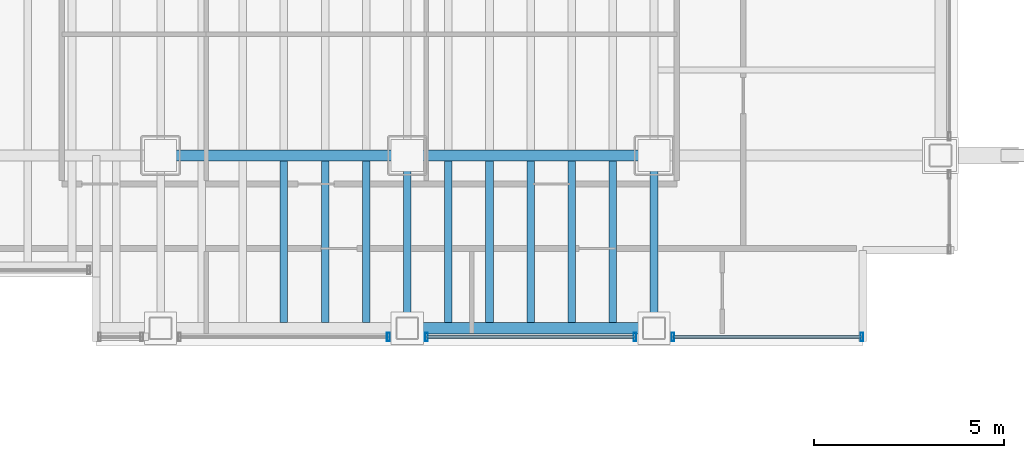
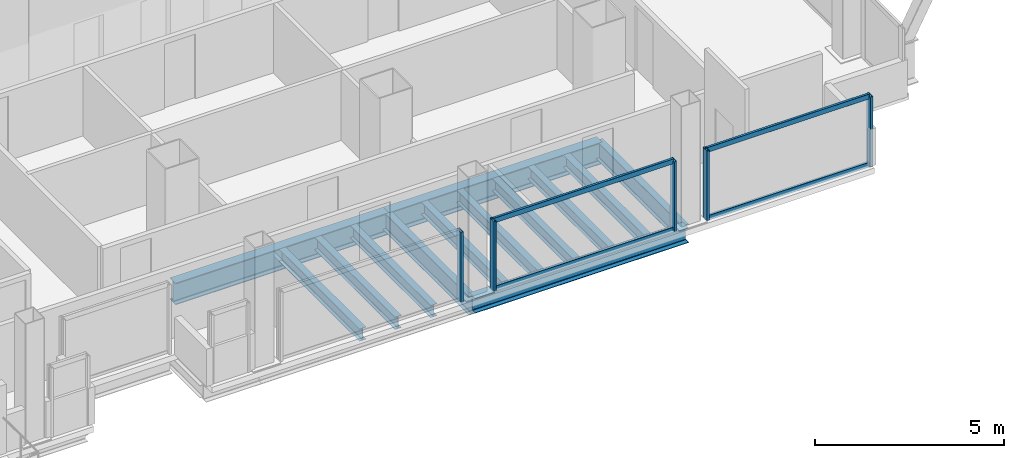
# One storey, part 9 of 21: 13 beams, 9 members, 3 elements without a shape of their own.
"""IFC4 building model written with IfcOpenShell, lengths in metres."""

from ifc_helpers import new_model, si_unit, direction, frame, origin, origin_2d, place, context, subcontext, project, spatial, hollow_rectangle, i_section, extrude, material, material_profile, profile_set, type_object, element, aggregate, save


model = new_model("IFC4")

# Units and contexts
model_context = context("Model", 3, precision=1e-05, world=origin(), true_north=direction((0.0, 1.0)))
body_context = subcontext(model_context, "Body", "Model", "MODEL_VIEW")
ifc_project = project(units=[si_unit("LENGTHUNIT", "METRE"), si_unit("AREAUNIT", "SQUARE_METRE"), si_unit("VOLUMEUNIT", "CUBIC_METRE"), si_unit("PLANEANGLEUNIT", "RADIAN"), si_unit("MASSUNIT", "GRAM", prefix="KILO")], contexts=[model_context])

# Site, building, storey
site_placement = place(None, origin())
site = spatial("IfcSite", under=ifc_project, at=site_placement, CompositionType="ELEMENT")
building_placement = place(site_placement, origin())
building = spatial("IfcBuilding", under=site, at=building_placement, Name="Noeulbin Bourse Tower", CompositionType="ELEMENT")
storey_placement = place(building_placement, frame((0.0, 0.0, 49.89990234375)))
storey = spatial("IfcBuildingStorey", under=building, at=storey_placement, Name="L12", CompositionType="ELEMENT", Elevation=49.89990234375)

# Beams
ifc_material_1 = material(Name="Steel S355", Category="steel")
ifc_material_profile_1 = material_profile(ifc_material_1, i_section(OverallWidth=0.199951171875, OverallDepth=0.60009765625, WebThickness=0.010986328125, FlangeThickness=0.01708984375, FilletRadius=0.02197265625, at=origin_2d()), Name="H-600x200x11x17", Category="LoadBearing")
ifc_profile_set_1 = profile_set([ifc_material_profile_1], Name="Steel S355")
beam_type_1 = type_object("IfcBeamType", Name="BM-GRD-600", PredefinedType="USERDEFINED", material=ifc_profile_set_1)
for number, where, z_axis, x_axis, name in (
    (1, (37.5, 15.449951171875, -0.47998046875), (0.0, 1.0, 0.0), (-1.0, 0.0, 0.0), "Tower Primary Girder NS L12-4.1"),
    (2, (44.0, 15.449951171875, -0.47998046875), (0.0, 1.0, 0.0), (-1.0, 0.0, 0.0), "Tower Primary Girder NS L12-5.1"),
):
    element("IfcBeam", number, at=place(storey_placement, frame(where, z_axis=z_axis, x_axis=x_axis)), inside=storey, type_object=beam_type_1, Name=name, ObjectType="GIRDER", PredefinedType="USERDEFINED", context=body_context, shape_type="SweptSolid", body=[
        extrude(i_section(OverallWidth=0.199951171875, OverallDepth=0.60009765625, WebThickness=0.010986328125, FlangeThickness=0.01708984375, FilletRadius=0.02197265625, at=origin_2d()), origin(), (0.0, 0.0, 1.0), 4.550048828125),
    ])
ifc_material_profile_2 = material_profile(ifc_material_1, i_section(OverallWidth=0.300048828125, OverallDepth=0.699951171875, WebThickness=0.012939453125, FlangeThickness=0.02392578125, FilletRadius=0.02392578125, at=origin_2d()), Name="H-700x300x13x24", Category="LoadBearing")
ifc_profile_set_2 = profile_set([ifc_material_profile_2], Name="Steel S355")
beam_type_2 = type_object("IfcBeamType", Name="BM-GRD-700", PredefinedType="USERDEFINED", material=ifc_profile_set_2)
for number, where, z_axis, x_axis, name in (
    (3, (31.0, 20.0, -0.52978515625), (1.0, 0.0, 0.0), (0.0, 1.0, 0.0), "Tower Primary Girder EW L12-1.4"),
    (4, (37.5, 20.0, -0.52978515625), (1.0, 0.0, 0.0), (0.0, 1.0, 0.0), "Tower Primary Girder EW L12-1.5"),
):
    element("IfcBeam", number, at=place(storey_placement, frame(where, z_axis=z_axis, x_axis=x_axis)), inside=storey, type_object=beam_type_2, Name=name, ObjectType="GIRDER", PredefinedType="USERDEFINED", context=body_context, shape_type="SweptSolid", body=[
        extrude(i_section(OverallWidth=0.300048828125, OverallDepth=0.699951171875, WebThickness=0.012939453125, FlangeThickness=0.02392578125, FilletRadius=0.02392578125, at=origin_2d()), origin(), (0.0, 0.0, 1.0), 6.5),
    ])
ifc_material_profile_3 = material_profile(ifc_material_1, i_section(OverallWidth=0.199951171875, OverallDepth=0.39990234375, WebThickness=0.008056640625, FlangeThickness=0.012939453125, FilletRadius=0.01611328125, at=origin_2d()), Name="H-400x200x8x13", Category="LoadBearing")
ifc_profile_set_3 = profile_set([ifc_material_profile_3], Name="Steel S355")
beam_type_3 = type_object("IfcBeamType", Name="BM-SEC-400", PredefinedType="BEAM", material=ifc_profile_set_3)
for number, where, z_axis, x_axis, name in (
    (5, (34.25, 15.60009765625, -0.3798828125), (0.0, 1.0, 0.0), (-1.0, 0.0, 0.0), "Tower Composite Joist L12-46"),
    (6, (35.333251953125, 15.60009765625, -0.3798828125), (0.0, 1.0, 0.0), (-1.0, 0.0, 0.0), "Tower Composite Joist L12-49"),
    (7, (36.416748046875, 15.60009765625, -0.3798828125), (0.0, 1.0, 0.0), (-1.0, 0.0, 0.0), "Tower Composite Joist L12-52"),
    (8, (38.583251953125, 15.60009765625, -0.3798828125), (0.0, 1.0, 0.0), (-1.0, 0.0, 0.0), "Tower Composite Joist L12-55"),
    (9, (39.666748046875, 15.60009765625, -0.3798828125), (0.0, 1.0, 0.0), (-1.0, 0.0, 0.0), "Tower Composite Joist L12-58"),
    (10, (40.75, 15.60009765625, -0.3798828125), (0.0, 1.0, 0.0), (-1.0, 0.0, 0.0), "Tower Composite Joist L12-61"),
    (11, (41.833251953125, 15.60009765625, -0.3798828125), (0.0, 1.0, 0.0), (-1.0, 0.0, 0.0), "Tower Composite Joist L12-64"),
    (12, (42.916748046875, 15.60009765625, -0.3798828125), (0.0, 1.0, 0.0), (-1.0, 0.0, 0.0), "Tower Composite Joist L12-67"),
):
    element("IfcBeam", number, at=place(storey_placement, frame(where, z_axis=z_axis, x_axis=x_axis)), inside=storey, type_object=beam_type_3, Name=name, PredefinedType="BEAM", context=body_context, shape_type="SweptSolid", body=[
        extrude(i_section(OverallWidth=0.199951171875, OverallDepth=0.39990234375, WebThickness=0.008056640625, FlangeThickness=0.012939453125, FilletRadius=0.01611328125, at=origin_2d()), origin(), (0.0, 0.0, 1.0), 4.25),
    ])
ifc_material_profile_4 = material_profile(ifc_material_1, i_section(OverallWidth=0.300048828125, OverallDepth=0.488037109375, WebThickness=0.010986328125, FlangeThickness=0.01806640625, FilletRadius=0.02197265625, at=origin_2d()), Name="H-488x300x11x18", Category="LoadBearing")
ifc_profile_set_4 = profile_set([ifc_material_profile_4], Name="Steel S355")
beam_type_4 = type_object("IfcBeamType", Name="BM-SPN-488", PredefinedType="SPANDREL", material=ifc_profile_set_4)
beam_placement = place(storey_placement, frame((37.5, 15.449951171875, -0.423828125), z_axis=(1.0, 0.0, 0.0), x_axis=(0.0, 1.0, 0.0)))
element("IfcBeam", 13, at=beam_placement, inside=storey, type_object=beam_type_4, Name="South Spandrel L12-4", PredefinedType="SPANDREL", context=body_context, shape_type="SweptSolid", body=[
    extrude(i_section(OverallWidth=0.300048828125, OverallDepth=0.488037109375, WebThickness=0.010986328125, FlangeThickness=0.01806640625, FilletRadius=0.02197265625, at=origin_2d()), origin(), (0.0, 0.0, 1.0), 6.5),
])

# Curtain wall, member
ifc_material_2 = material(Name="Dark Solar-Control Double Glazing", Category="glass")
curtain_wall_type = type_object("IfcCurtainWallType", Name="CW-SYS-2", PredefinedType="NOTDEFINED", material=ifc_material_2)
curtain_wall_1_placement = place(storey_placement, origin())
curtain_wall_1 = element("IfcCurtainWall", 14, at=curtain_wall_1_placement, inside=storey, type_object=curtain_wall_type, Name="Unitised Curtain Wall CW-L12-S3-S2", PredefinedType="NOTDEFINED")
ifc_material_3 = material(Name="Anodised Aluminium 6063-T6", Category="aluminium")
ifc_material_profile_5 = material_profile(ifc_material_3, hollow_rectangle(XDim=0.074951171875, YDim=0.219970703125, WallThickness=0.0048828125, InnerFilletRadius=0.00244140625, OuterFilletRadius=0.0048828125, at=origin_2d()), Name="ALU-MULL-75x220x5", Category="LoadBearing")
ifc_profile_set_5 = profile_set([ifc_material_profile_5], Name="Anodised Aluminium 6063-T6")
member_type_1 = type_object("IfcMemberType", Name="CW-SYS-2-MUL", PredefinedType="MULLION", material=ifc_profile_set_5)
member_1_placement = place(storey_placement, frame((37.0, 15.219970703125, -0.02001953125), z_axis=(0.0, 0.0, 1.0), x_axis=(1.0, 0.0, 0.0)))
member_1 = element("IfcMember", 15, at=member_1_placement, type_object=member_type_1, Name="Curtain Wall Mullion CW-L12-S3-S2-M01", PredefinedType="MULLION", context=body_context, shape_type="SweptSolid", body=[
    extrude(hollow_rectangle(XDim=0.074951171875, YDim=0.219970703125, WallThickness=0.0048828125, InnerFilletRadius=0.00244140625, OuterFilletRadius=0.0048828125, at=origin_2d()), origin(), (0.0, 0.0, 1.0), 2.260009765625),
])
aggregate(curtain_wall_1, [member_1])

# Curtain wall, members
curtain_wall_2_placement = place(storey_placement, origin())
curtain_wall_2 = element("IfcCurtainWall", 16, at=curtain_wall_2_placement, inside=storey, type_object=curtain_wall_type, Name="Unitised Curtain Wall CW-L12-S3-S3", PredefinedType="NOTDEFINED")
member_2_placement = place(storey_placement, frame((38.0, 15.219970703125, -0.02001953125), z_axis=(0.0, 0.0, 1.0), x_axis=(1.0, 0.0, 0.0)))
member_2 = element("IfcMember", 17, at=member_2_placement, type_object=member_type_1, Name="Curtain Wall Mullion CW-L12-S3-S3-M00", PredefinedType="MULLION", context=body_context, shape_type="SweptSolid", body=[
    extrude(hollow_rectangle(XDim=0.074951171875, YDim=0.219970703125, WallThickness=0.0048828125, InnerFilletRadius=0.00244140625, OuterFilletRadius=0.0048828125, at=origin_2d()), origin(), (0.0, 0.0, 1.0), 2.260009765625),
])
member_3_placement = place(storey_placement, frame((43.5, 15.219970703125, -0.02001953125), z_axis=(0.0, 0.0, 1.0), x_axis=(1.0, 0.0, 0.0)))
member_3 = element("IfcMember", 18, at=member_3_placement, type_object=member_type_1, Name="Curtain Wall Mullion CW-L12-S3-S3-M01", PredefinedType="MULLION", context=body_context, shape_type="SweptSolid", body=[
    extrude(hollow_rectangle(XDim=0.074951171875, YDim=0.219970703125, WallThickness=0.0048828125, InnerFilletRadius=0.00244140625, OuterFilletRadius=0.0048828125, at=origin_2d()), origin(), (0.0, 0.0, 1.0), 2.260009765625),
])

curtain_wall_3_placement = place(storey_placement, origin())
curtain_wall_3 = element("IfcCurtainWall", 19, at=curtain_wall_3_placement, inside=storey, type_object=curtain_wall_type, Name="Unitised Curtain Wall CW-L12-S3-S4", PredefinedType="NOTDEFINED")
member_4_placement = place(storey_placement, frame((44.5, 15.219970703125, -0.02001953125), z_axis=(0.0, 0.0, 1.0), x_axis=(1.0, 0.0, 0.0)))
member_4 = element("IfcMember", 20, at=member_4_placement, type_object=member_type_1, Name="Curtain Wall Mullion CW-L12-S3-S4-M00", PredefinedType="MULLION", context=body_context, shape_type="SweptSolid", body=[
    extrude(hollow_rectangle(XDim=0.074951171875, YDim=0.219970703125, WallThickness=0.0048828125, InnerFilletRadius=0.00244140625, OuterFilletRadius=0.0048828125, at=origin_2d()), origin(), (0.0, 0.0, 1.0), 2.260009765625),
])
member_5_placement = place(storey_placement, frame((49.47998046875, 15.219970703125, -0.02001953125), z_axis=(0.0, 0.0, 1.0), x_axis=(1.0, 0.0, 0.0)))
member_5 = element("IfcMember", 21, at=member_5_placement, type_object=member_type_1, Name="Curtain Wall Mullion CW-L12-S3-S4-M01", PredefinedType="MULLION", context=body_context, shape_type="SweptSolid", body=[
    extrude(hollow_rectangle(XDim=0.074951171875, YDim=0.219970703125, WallThickness=0.0048828125, InnerFilletRadius=0.00244140625, OuterFilletRadius=0.0048828125, at=origin_2d()), origin(), (0.0, 0.0, 1.0), 2.260009765625),
])

# Member
ifc_material_profile_6 = material_profile(ifc_material_3, hollow_rectangle(XDim=0.074951171875, YDim=0.159912109375, WallThickness=0.0048828125, InnerFilletRadius=0.00244140625, OuterFilletRadius=0.0048828125, at=origin_2d()), Name="ALU-TRAN-75x160x5", Category="LoadBearing")
ifc_profile_set_6 = profile_set([ifc_material_profile_6], Name="Anodised Aluminium 6063-T6")
member_type_2 = type_object("IfcMemberType", Name="CW-SYS-2-TRN", PredefinedType="USERDEFINED", material=ifc_profile_set_6)
member_6_placement = place(storey_placement, frame((38.010009765625, 15.219970703125, 0.010009765625), z_axis=(1.0, 0.0, 0.0), x_axis=(0.0, 1.0, 0.0)))
member_6 = element("IfcMember", 22, at=member_6_placement, type_object=member_type_2, Name="Curtain Wall Transom CW-L12-S3-S3-T00", ObjectType="TRANSOM", PredefinedType="USERDEFINED", context=body_context, shape_type="SweptSolid", body=[
    extrude(hollow_rectangle(XDim=0.074951171875, YDim=0.159912109375, WallThickness=0.0048828125, InnerFilletRadius=0.00244140625, OuterFilletRadius=0.0048828125, at=origin_2d()), origin(), (0.0, 0.0, 1.0), 5.47998046875),
])

member_7_placement = place(storey_placement, frame((38.010009765625, 15.219970703125, 2.210205078125), z_axis=(1.0, 0.0, 0.0), x_axis=(0.0, 1.0, 0.0)))
member_7 = element("IfcMember", 23, at=member_7_placement, type_object=member_type_2, Name="Curtain Wall Transom CW-L12-S3-S3-T01", ObjectType="TRANSOM", PredefinedType="USERDEFINED", context=body_context, shape_type="SweptSolid", body=[
    extrude(hollow_rectangle(XDim=0.074951171875, YDim=0.159912109375, WallThickness=0.0048828125, InnerFilletRadius=0.00244140625, OuterFilletRadius=0.0048828125, at=origin_2d()), origin(), (0.0, 0.0, 1.0), 5.47998046875),
])

aggregate(curtain_wall_2, [member_2, member_3, member_6, member_7])

member_8_placement = place(storey_placement, frame((44.510009765625, 15.219970703125, 0.010009765625), z_axis=(1.0, 0.0, 0.0), x_axis=(0.0, 1.0, 0.0)))
member_8 = element("IfcMember", 24, at=member_8_placement, type_object=member_type_2, Name="Curtain Wall Transom CW-L12-S3-S4-T00", ObjectType="TRANSOM", PredefinedType="USERDEFINED", context=body_context, shape_type="SweptSolid", body=[
    extrude(hollow_rectangle(XDim=0.074951171875, YDim=0.159912109375, WallThickness=0.0048828125, InnerFilletRadius=0.00244140625, OuterFilletRadius=0.0048828125, at=origin_2d()), origin(), (0.0, 0.0, 1.0), 4.9599609375),
])

member_9_placement = place(storey_placement, frame((44.510009765625, 15.219970703125, 2.210205078125), z_axis=(1.0, 0.0, 0.0), x_axis=(0.0, 1.0, 0.0)))
member_9 = element("IfcMember", 25, at=member_9_placement, type_object=member_type_2, Name="Curtain Wall Transom CW-L12-S3-S4-T01", ObjectType="TRANSOM", PredefinedType="USERDEFINED", context=body_context, shape_type="SweptSolid", body=[
    extrude(hollow_rectangle(XDim=0.074951171875, YDim=0.159912109375, WallThickness=0.0048828125, InnerFilletRadius=0.00244140625, OuterFilletRadius=0.0048828125, at=origin_2d()), origin(), (0.0, 0.0, 1.0), 4.9599609375),
])

aggregate(curtain_wall_3, [member_4, member_5, member_8, member_9])

save(model, "model.ifc")
